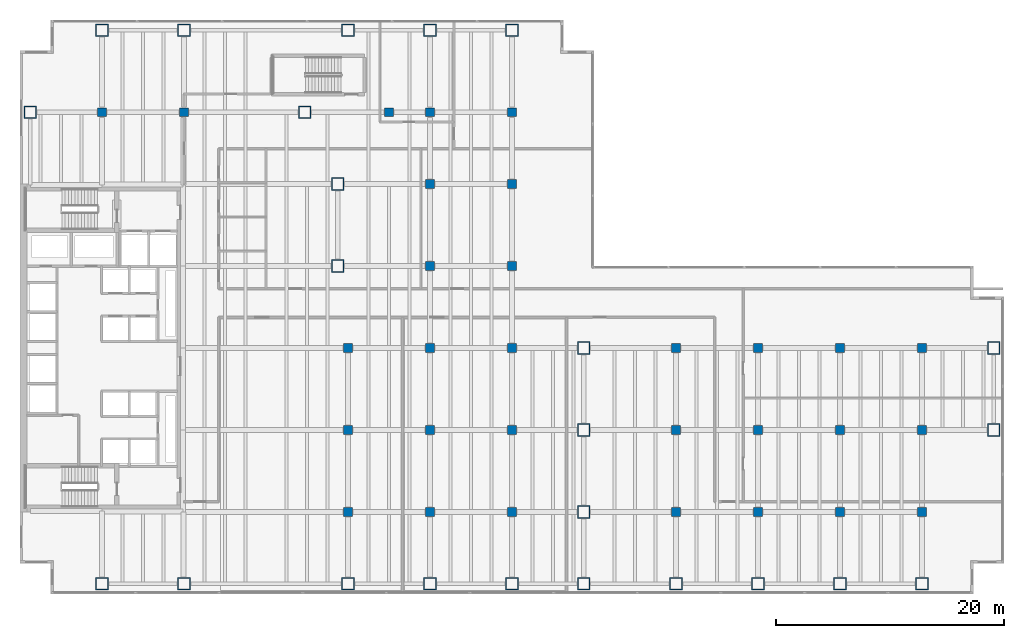
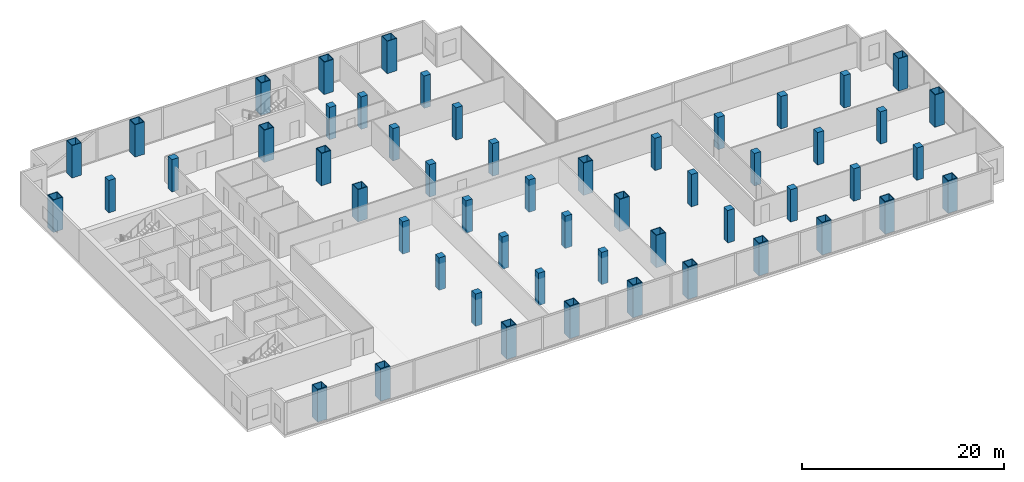
# One storey, part 1 of 28: 54 columns.
"""IFC4 building model written with IfcOpenShell, lengths in metres."""

from ifc_helpers import new_model, si_unit, direction, frame, origin, origin_2d, place, context, subcontext, project, spatial, rectangle, hollow_rectangle, extrude, material, material_profile, profile_set, type_object, element, save


model = new_model("IFC4")

# Units and contexts
model_context = context("Model", 3, precision=1e-05, world=origin(), true_north=direction((0.0, 1.0)))
body_context = subcontext(model_context, "Body", "Model", "MODEL_VIEW")
ifc_project = project(units=[si_unit("LENGTHUNIT", "METRE"), si_unit("AREAUNIT", "SQUARE_METRE"), si_unit("VOLUMEUNIT", "CUBIC_METRE"), si_unit("PLANEANGLEUNIT", "RADIAN"), si_unit("MASSUNIT", "GRAM", prefix="KILO")], contexts=[model_context])

# Site, building, storey
site_placement = place(None, origin())
site = spatial("IfcSite", under=ifc_project, at=site_placement, CompositionType="ELEMENT")
building_placement = place(site_placement, origin())
building = spatial("IfcBuilding", under=site, at=building_placement, Name="Cobrela Telecom Tower", CompositionType="ELEMENT")
storey_placement = place(building_placement, frame((0.0, 0.0, 17.85009765625)))
storey = spatial("IfcBuildingStorey", under=building, at=storey_placement, Name="L04", CompositionType="ELEMENT", Elevation=17.85009765625)

# Columns
ifc_material_1 = material(Name="Concrete C40/50", Category="concrete")
ifc_material_profile_1 = material_profile(ifc_material_1, rectangle(XDim=0.75, YDim=0.75, at=origin_2d()), Name="RC 750x750")
ifc_profile_set_1 = profile_set([ifc_material_profile_1], Name="Concrete C40/50")
column_type_1 = type_object("IfcColumnType", Name="COL-INT-03", PredefinedType="COLUMN", material=ifc_profile_set_1)
for number, where, z_axis, x_axis, name in (
    (1, (7.199951171875, 42.300048828125, 0.0), (0.0, 0.0, 1.0), (1.0, 0.0, 0.0), "L04 Interior Column 03"),
    (2, (14.39990234375, 42.300048828125, 0.0), (0.0, 0.0, 1.0), (1.0, 0.0, 0.0), "L04 Interior Column 06"),
    (3, (28.800048828125, 7.199951171875, 0.0), (0.0, 0.0, 1.0), (1.0, 0.0, 0.0), "L04 Interior Column 12"),
    (4, (28.800048828125, 14.39990234375, 0.0), (0.0, 0.0, 1.0), (1.0, 0.0, 0.0), "L04 Interior Column 13"),
    (5, (28.800048828125, 21.60009765625, 0.0), (0.0, 0.0, 1.0), (1.0, 0.0, 0.0), "L04 Interior Column 14"),
    (6, (32.39990234375, 42.300048828125, 0.0), (0.0, 0.0, 1.0), (1.0, 0.0, 0.0), "L04 Interior Column 16"),
    (7, (36.0, 7.199951171875, 0.0), (0.0, 0.0, 1.0), (1.0, 0.0, 0.0), "L04 Interior Column 18"),
    (8, (36.0, 14.39990234375, 0.0), (0.0, 0.0, 1.0), (1.0, 0.0, 0.0), "L04 Interior Column 19"),
    (9, (36.0, 21.60009765625, 0.0), (0.0, 0.0, 1.0), (1.0, 0.0, 0.0), "L04 Interior Column 20"),
    (10, (36.0, 28.800048828125, 0.0), (0.0, 0.0, 1.0), (1.0, 0.0, 0.0), "L04 Interior Column 21"),
    (11, (36.0, 36.0, 0.0), (0.0, 0.0, 1.0), (1.0, 0.0, 0.0), "L04 Interior Column 22"),
    (12, (36.0, 42.300048828125, 0.0), (0.0, 0.0, 1.0), (1.0, 0.0, 0.0), "L04 Interior Column 23"),
    (13, (43.199951171875, 7.199951171875, 0.0), (0.0, 0.0, 1.0), (1.0, 0.0, 0.0), "L04 Interior Column 26"),
    (14, (43.199951171875, 14.39990234375, 0.0), (0.0, 0.0, 1.0), (1.0, 0.0, 0.0), "L04 Interior Column 27"),
    (15, (43.199951171875, 21.60009765625, 0.0), (0.0, 0.0, 1.0), (1.0, 0.0, 0.0), "L04 Interior Column 28"),
    (16, (43.199951171875, 28.800048828125, 0.0), (0.0, 0.0, 1.0), (1.0, 0.0, 0.0), "L04 Interior Column 29"),
    (17, (43.199951171875, 36.0, 0.0), (0.0, 0.0, 1.0), (1.0, 0.0, 0.0), "L04 Interior Column 30"),
    (18, (43.199951171875, 42.300048828125, 0.0), (0.0, 0.0, 1.0), (1.0, 0.0, 0.0), "L04 Interior Column 31"),
    (19, (57.60009765625, 7.199951171875, 0.0), (0.0, 0.0, 1.0), (1.0, 0.0, 0.0), "L04 Interior Column 38"),
    (20, (57.60009765625, 14.39990234375, 0.0), (0.0, 0.0, 1.0), (1.0, 0.0, 0.0), "L04 Interior Column 39"),
    (21, (57.60009765625, 21.60009765625, 0.0), (0.0, 0.0, 1.0), (1.0, 0.0, 0.0), "L04 Interior Column 40"),
    (22, (64.800048828125, 7.199951171875, 0.0), (0.0, 0.0, 1.0), (1.0, 0.0, 0.0), "L04 Interior Column 42"),
    (23, (64.800048828125, 14.39990234375, 0.0), (0.0, 0.0, 1.0), (1.0, 0.0, 0.0), "L04 Interior Column 43"),
    (24, (64.800048828125, 21.60009765625, 0.0), (0.0, 0.0, 1.0), (1.0, 0.0, 0.0), "L04 Interior Column 44"),
    (25, (72.0, 7.199951171875, 0.0), (0.0, 0.0, 1.0), (1.0, 0.0, 0.0), "L04 Interior Column 46"),
    (26, (72.0, 14.39990234375, 0.0), (0.0, 0.0, 1.0), (1.0, 0.0, 0.0), "L04 Interior Column 47"),
    (27, (72.0, 21.60009765625, 0.0), (0.0, 0.0, 1.0), (1.0, 0.0, 0.0), "L04 Interior Column 48"),
    (28, (79.199951171875, 7.199951171875, 0.0), (0.0, 0.0, 1.0), (1.0, 0.0, 0.0), "L04 Interior Column 50"),
    (29, (79.199951171875, 14.39990234375, 0.0), (0.0, 0.0, 1.0), (1.0, 0.0, 0.0), "L04 Interior Column 51"),
    (30, (79.199951171875, 21.60009765625, 0.0), (0.0, 0.0, 1.0), (1.0, 0.0, 0.0), "L04 Interior Column 52"),
):
    element("IfcColumn", number, at=place(storey_placement, frame(where, z_axis=z_axis, x_axis=x_axis)), inside=storey, type_object=column_type_1, Name=name, PredefinedType="COLUMN", context=body_context, shape_type="SweptSolid", body=[
        extrude(rectangle(XDim=0.75, YDim=0.75, at=origin_2d()), origin(), (0.0, 0.0, 1.0), 3.909912109375),
    ])
ifc_material_2 = material(Name="Steel ASTM A572 Grade 50", Category="steel")
ifc_material_profile_2 = material_profile(ifc_material_2, hollow_rectangle(XDim=1.10009765625, YDim=1.10009765625, WallThickness=0.070068359375, at=origin_2d()), Name="BOX 1100x1100x70")
ifc_profile_set_2 = profile_set([ifc_material_profile_2], Name="Steel ASTM A572 Grade 50")
column_type_2 = type_object("IfcColumnType", Name="COL-MEGA-02", PredefinedType="COLUMN", material=ifc_profile_set_2)
for number, where, z_axis, x_axis, name in (
    (31, (0.89990234375, 42.300048828125, 0.0), (0.0, 0.0, 1.0), (1.0, 0.0, 0.0), "L04 Perimeter Mega-Column 01"),
    (32, (7.199951171875, 0.89990234375, 0.0), (0.0, 0.0, 1.0), (1.0, 0.0, 0.0), "L04 Perimeter Mega-Column 02"),
    (33, (7.199951171875, 49.5, 0.0), (0.0, 0.0, 1.0), (1.0, 0.0, 0.0), "L04 Perimeter Mega-Column 04"),
    (34, (14.39990234375, 0.89990234375, 0.0), (0.0, 0.0, 1.0), (1.0, 0.0, 0.0), "L04 Perimeter Mega-Column 05"),
    (35, (14.39990234375, 49.5, 0.0), (0.0, 0.0, 1.0), (1.0, 0.0, 0.0), "L04 Perimeter Mega-Column 07"),
    (36, (25.0, 42.300048828125, 0.0), (0.0, 0.0, 1.0), (1.0, 0.0, 0.0), "L04 Perimeter Mega-Column 08"),
    (37, (27.89990234375, 28.800048828125, 0.0), (0.0, 0.0, 1.0), (1.0, 0.0, 0.0), "L04 Perimeter Mega-Column 09"),
    (38, (27.89990234375, 36.0, 0.0), (0.0, 0.0, 1.0), (1.0, 0.0, 0.0), "L04 Perimeter Mega-Column 10"),
    (39, (28.800048828125, 0.89990234375, 0.0), (0.0, 0.0, 1.0), (1.0, 0.0, 0.0), "L04 Perimeter Mega-Column 11"),
    (40, (28.800048828125, 49.5, 0.0), (0.0, 0.0, 1.0), (1.0, 0.0, 0.0), "L04 Perimeter Mega-Column 15"),
    (41, (36.0, 0.89990234375, 0.0), (0.0, 0.0, 1.0), (1.0, 0.0, 0.0), "L04 Perimeter Mega-Column 17"),
    (42, (36.0, 49.5, 0.0), (0.0, 0.0, 1.0), (1.0, 0.0, 0.0), "L04 Perimeter Mega-Column 24"),
    (43, (43.199951171875, 0.89990234375, 0.0), (0.0, 0.0, 1.0), (1.0, 0.0, 0.0), "L04 Perimeter Mega-Column 25"),
    (44, (43.199951171875, 49.5, 0.0), (0.0, 0.0, 1.0), (1.0, 0.0, 0.0), "L04 Perimeter Mega-Column 32"),
    (45, (49.5, 0.89990234375, 0.0), (0.0, 0.0, 1.0), (1.0, 0.0, 0.0), "L04 Perimeter Mega-Column 33"),
    (46, (49.5, 7.199951171875, 0.0), (0.0, 0.0, 1.0), (1.0, 0.0, 0.0), "L04 Perimeter Mega-Column 34"),
    (47, (49.5, 14.39990234375, 0.0), (0.0, 0.0, 1.0), (1.0, 0.0, 0.0), "L04 Perimeter Mega-Column 35"),
    (48, (49.5, 21.60009765625, 0.0), (0.0, 0.0, 1.0), (1.0, 0.0, 0.0), "L04 Perimeter Mega-Column 36"),
    (49, (57.60009765625, 0.89990234375, 0.0), (0.0, 0.0, 1.0), (1.0, 0.0, 0.0), "L04 Perimeter Mega-Column 37"),
    (50, (64.800048828125, 0.89990234375, 0.0), (0.0, 0.0, 1.0), (1.0, 0.0, 0.0), "L04 Perimeter Mega-Column 41"),
    (51, (72.0, 0.89990234375, 0.0), (0.0, 0.0, 1.0), (1.0, 0.0, 0.0), "L04 Perimeter Mega-Column 45"),
    (52, (79.199951171875, 0.89990234375, 0.0), (0.0, 0.0, 1.0), (1.0, 0.0, 0.0), "L04 Perimeter Mega-Column 49"),
    (53, (85.5, 14.39990234375, 0.0), (0.0, 0.0, 1.0), (1.0, 0.0, 0.0), "L04 Perimeter Mega-Column 53"),
    (54, (85.5, 21.60009765625, 0.0), (0.0, 0.0, 1.0), (1.0, 0.0, 0.0), "L04 Perimeter Mega-Column 54"),
):
    element("IfcColumn", number, at=place(storey_placement, frame(where, z_axis=z_axis, x_axis=x_axis)), inside=storey, type_object=column_type_2, Name=name, PredefinedType="COLUMN", context=body_context, shape_type="SweptSolid", body=[
        extrude(hollow_rectangle(XDim=1.10009765625, YDim=1.10009765625, WallThickness=0.070068359375, at=origin_2d()), origin(), (0.0, 0.0, 1.0), 3.909912109375),
    ])

save(model, "model.ifc")
